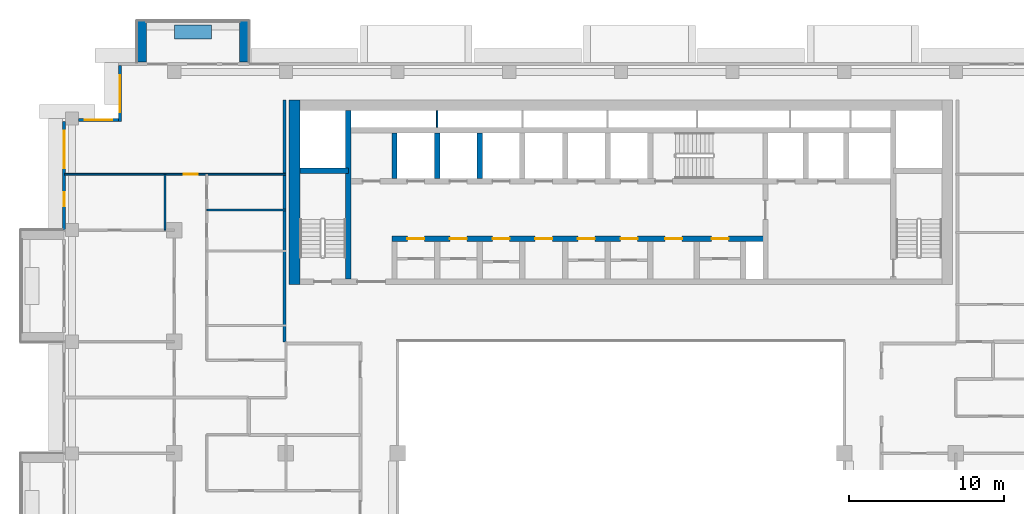
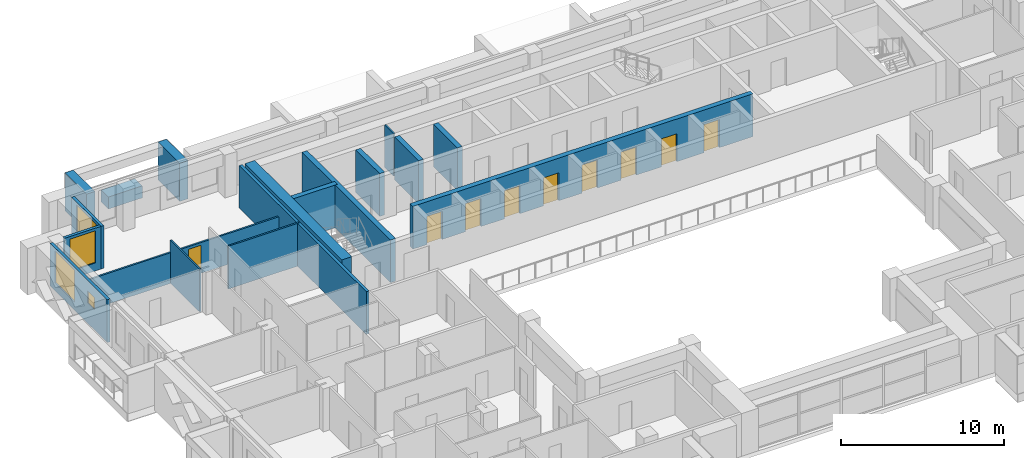
# One storey, part 10 of 20: 18 walls, 9 doors, 4 windows, 13 openings.
"""IFC4 building model written with IfcOpenShell, lengths in metres."""

from ifc_helpers import new_model, si_unit, direction, frame, frame_2d, origin, place, context, subcontext, project, spatial, rectangle, extrude, material, layer, layer_set, type_object, element, fill, save


model = new_model("IFC4")

# Units and contexts
model_context = context("Model", 3, precision=1e-05, world=origin(), true_north=direction((0.0, 1.0)))
body_context = subcontext(model_context, "Body", "Model", "MODEL_VIEW")
ifc_project = project(units=[si_unit("LENGTHUNIT", "METRE"), si_unit("AREAUNIT", "SQUARE_METRE"), si_unit("VOLUMEUNIT", "CUBIC_METRE"), si_unit("PLANEANGLEUNIT", "RADIAN"), si_unit("MASSUNIT", "GRAM", prefix="KILO")], contexts=[model_context])

# Site, building, storey
site_placement = place(None, origin())
site = spatial("IfcSite", under=ifc_project, at=site_placement, CompositionType="ELEMENT")
building_placement = place(site_placement, origin())
building = spatial("IfcBuilding", under=site, at=building_placement, Name="Saffron Iwan Residences", CompositionType="ELEMENT")
storey_placement = place(building_placement, frame((0.0, 0.0, 153.5)))
storey = spatial("IfcBuildingStorey", under=building, at=storey_placement, Name="L40", CompositionType="ELEMENT", Elevation=153.5)

# Walls
ifc_material_1 = material(Name="Concrete C50/60 white painted", Category="concrete")
ifc_layer_1 = layer(ifc_material_1, 0.60009765625)
ifc_layer_set_1 = layer_set([ifc_layer_1], Name="Concrete C50/60 white painted")
wall_type_1 = type_object("IfcWallType", Name="BALCONY FIN 600", PredefinedType="SOLIDWALL", material=ifc_layer_set_1)
for number, where, z_axis, x_axis, name in (
    (1, (26.10009765625, 80.449951171875, 0.0), (0.0, 0.0, 1.0), (0.0, 1.0, 0.0), "Balcony fin L40 F5-3a"),
    (2, (19.5, 80.449951171875, 0.0), (0.0, 0.0, 1.0), (0.0, 1.0, 0.0), "Balcony fin L40 F5-3b"),
):
    element("IfcWall", number, at=place(storey_placement, frame(where, z_axis=z_axis, x_axis=x_axis)), inside=storey, type_object=wall_type_1, Name=name, PredefinedType="SOLIDWALL", context=body_context, shape_type="SweptSolid", body=[
        extrude(rectangle(XDim=2.650146484375, YDim=0.60009765625, at=frame_2d((1.3251953125, 0.0))), origin(), (0.0, 0.0, 1.0), 2.85009765625),
    ])
ifc_material_2 = material(Name="Concrete C35/45 white painted", Category="concrete")
ifc_layer_2 = layer(ifc_material_2, 0.14990234375)
ifc_layer_set_2 = layer_set([ifc_layer_2], Name="Concrete C35/45 white painted")
wall_type_2 = type_object("IfcWallType", Name="BALCONY PLANTER", PredefinedType="SOLIDWALL", material=ifc_layer_set_2)
wall_1_placement = place(storey_placement, frame((24.0, 82.375, 0.0), z_axis=(0.0, 0.0, 1.0), x_axis=(-1.0, 0.0, 0.0)))
element("IfcWall", 3, at=wall_1_placement, inside=storey, type_object=wall_type_2, Name="PLANTER L40 F5-3", PredefinedType="SOLIDWALL", context=body_context, shape_type="SweptSolid", body=[
    extrude(rectangle(XDim=2.39990234375, YDim=0.89990234375, at=frame_2d((1.199951171875, 0.0))), origin(), (0.0, 0.0, 1.0), 0.89990234375),
])

# Wall, opening, window
ifc_material_3 = material(Name="Concrete C40/50", Category="concrete")
ifc_layer_3 = layer(ifc_material_3, 0.199951171875)
ifc_layer_set_3 = layer_set([ifc_layer_3], Name="Concrete C40/50")
wall_type_3 = type_object("IfcWallType", Name="EXTERNAL WALL 200", PredefinedType="SOLIDWALL", material=ifc_layer_set_3)
wall_2_placement = place(storey_placement, frame((18.10009765625, 80.199951171875, 0.0), z_axis=(0.0, 0.0, 1.0), x_axis=(0.0, -1.0, 0.0)))
wall_2 = element("IfcWall", 4, at=wall_2_placement, inside=storey, type_object=wall_type_3, Name="External wall L40 F6.0", PredefinedType="SOLIDWALL", context=body_context, shape_type="SweptSolid", body=[
    extrude(rectangle(XDim=3.599853515625, YDim=0.199951171875, at=frame_2d((1.7998046875, 0.0))), origin(), (0.0, 0.0, 1.0), 3.199951171875),
])
opening_1_placement = place(wall_2_placement, frame((0.60009765625, 0.0, 0.60009765625)))
opening_1 = element("IfcOpeningElement", 5, at=opening_1_placement, cuts=wall_2, Name="Opening W1", PredefinedType="OPENING", context=body_context, shape_type="SweptSolid", body=[
    extrude(rectangle(XDim=2.39990234375, YDim=2.39990234375, at=frame_2d((1.199951171875, 1.199951171875))), frame((0.0, 0.10986328125, 0.0), z_axis=(0.0, -1.0, 0.0), x_axis=(1.0, 0.0, 0.0)), (0.0, 0.0, 1.0), 0.219970703125),
])
ifc_material_4 = material(Name="Clear glass, laminated double glazed", Category="glass")
window_type_1 = type_object("IfcWindowType", Name="WINDOW 2400 x 2400", PartitioningType="DOUBLE_PANEL_VERTICAL", PredefinedType="WINDOW", material=ifc_material_4)
window_1_placement = place(opening_1_placement, origin())
window_1 = element("IfcWindow", 6, at=window_1_placement, inside=storey, type_object=window_type_1, Name="Window L40 F6.0", OverallHeight=2.39990234375, OverallWidth=2.39990234375, PartitioningType="DOUBLE_PANEL_VERTICAL", PredefinedType="WINDOW", context=body_context, shape_type="SweptSolid", body=[
    extrude(rectangle(XDim=2.39990234375, YDim=2.39990234375, at=frame_2d((1.199951171875, 1.199951171875))), frame((0.0, 0.030029296875, 0.0), z_axis=(0.0, -1.0, 0.0), x_axis=(1.0, 0.0, 0.0)), (0.0, 0.0, 1.0), 0.06005859375),
])
fill(opening_1, window_1)

wall_3_placement = place(storey_placement, frame((18.0, 76.699951171875, 0.0), z_axis=(0.0, 0.0, 1.0), x_axis=(-1.0, 0.0, 0.0)))
wall_3 = element("IfcWall", 7, at=wall_3_placement, inside=storey, type_object=wall_type_3, Name="External wall L40 F7.0", PredefinedType="SOLIDWALL", context=body_context, shape_type="SweptSolid", body=[
    extrude(rectangle(XDim=2.574951171875, YDim=0.199951171875, at=frame_2d((1.28759765625, 0.0))), origin(), (0.0, 0.0, 1.0), 3.199951171875),
])
opening_2_placement = place(wall_3_placement, frame((0.387451171875, 0.0, 0.60009765625)))
opening_2 = element("IfcOpeningElement", 8, at=opening_2_placement, cuts=wall_3, Name="Opening W8", PredefinedType="OPENING", context=body_context, shape_type="SweptSolid", body=[
    extrude(rectangle(XDim=1.800048828125, YDim=2.39990234375, at=frame_2d((0.89990234375, 1.199951171875))), frame((0.0, 0.10986328125, 0.0), z_axis=(0.0, -1.0, 0.0), x_axis=(1.0, 0.0, 0.0)), (0.0, 0.0, 1.0), 0.219970703125),
])
window_type_2 = type_object("IfcWindowType", Name="WINDOW 1800 x 2400", PartitioningType="DOUBLE_PANEL_VERTICAL", PredefinedType="WINDOW", material=ifc_material_4)
window_2_placement = place(opening_2_placement, origin())
window_2 = element("IfcWindow", 9, at=window_2_placement, inside=storey, type_object=window_type_2, Name="Window L40 F7.0", OverallHeight=2.39990234375, OverallWidth=1.800048828125, PartitioningType="DOUBLE_PANEL_VERTICAL", PredefinedType="WINDOW", context=body_context, shape_type="SweptSolid", body=[
    extrude(rectangle(XDim=1.800048828125, YDim=2.39990234375, at=frame_2d((0.89990234375, 1.199951171875))), frame((0.0, 0.030029296875, 0.0), z_axis=(0.0, -1.0, 0.0), x_axis=(1.0, 0.0, 0.0)), (0.0, 0.0, 1.0), 0.06005859375),
])
fill(opening_2, window_2)

# Wall, openings, windows
wall_4_placement = place(storey_placement, frame((14.5, 76.60009765625, 0.0), z_axis=(0.0, 0.0, 1.0), x_axis=(0.0, -1.0, 0.0)))
wall_4 = element("IfcWall", 10, at=wall_4_placement, inside=storey, type_object=wall_type_3, Name="External wall L40 F8.0", PredefinedType="SOLIDWALL", context=body_context, shape_type="SweptSolid", body=[
    extrude(rectangle(XDim=7.0, YDim=0.199951171875, at=frame_2d((3.5, 0.0))), origin(), (0.0, 0.0, 1.0), 3.199951171875),
])
opening_3_placement = place(wall_4_placement, frame((4.5625, 0.0, 1.5)))
opening_3 = element("IfcOpeningElement", 11, at=opening_3_placement, cuts=wall_4, Name="Opening W6", PredefinedType="OPENING", context=body_context, shape_type="SweptSolid", body=[
    extrude(rectangle(XDim=0.89990234375, YDim=0.89990234375, at=frame_2d((0.449951171875, 0.449951171875))), frame((0.0, 0.10986328125, 0.0), z_axis=(0.0, -1.0, 0.0), x_axis=(1.0, 0.0, 0.0)), (0.0, 0.0, 1.0), 0.219970703125),
])
opening_4_placement = place(wall_4_placement, frame((0.60009765625, 0.0, 0.60009765625)))
opening_4 = element("IfcOpeningElement", 12, at=opening_4_placement, cuts=wall_4, Name="Opening W1", PredefinedType="OPENING", context=body_context, shape_type="SweptSolid", body=[
    extrude(rectangle(XDim=2.39990234375, YDim=2.39990234375, at=frame_2d((1.199951171875, 1.199951171875))), frame((0.0, 0.10986328125, 0.0), z_axis=(0.0, -1.0, 0.0), x_axis=(1.0, 0.0, 0.0)), (0.0, 0.0, 1.0), 0.219970703125),
])
window_3_placement = place(opening_4_placement, origin())
window_3 = element("IfcWindow", 13, at=window_3_placement, inside=storey, type_object=window_type_1, Name="Window L40 F8.1", OverallHeight=2.39990234375, OverallWidth=2.39990234375, PartitioningType="DOUBLE_PANEL_VERTICAL", PredefinedType="WINDOW", context=body_context, shape_type="SweptSolid", body=[
    extrude(rectangle(XDim=2.39990234375, YDim=2.39990234375, at=frame_2d((1.199951171875, 1.199951171875))), frame((0.0, 0.030029296875, 0.0), z_axis=(0.0, -1.0, 0.0), x_axis=(1.0, 0.0, 0.0)), (0.0, 0.0, 1.0), 0.06005859375),
])
fill(opening_4, window_3)
window_type_3 = type_object("IfcWindowType", Name="WINDOW 900 x 900 BATH", PartitioningType="SINGLE_PANEL", PredefinedType="WINDOW", material=ifc_material_4)
window_4_placement = place(opening_3_placement, origin())
window_4 = element("IfcWindow", 14, at=window_4_placement, inside=storey, type_object=window_type_3, Name="Window L40 F8.0", OverallHeight=0.89990234375, OverallWidth=0.89990234375, PartitioningType="SINGLE_PANEL", PredefinedType="WINDOW", context=body_context, shape_type="SweptSolid", body=[
    extrude(rectangle(XDim=0.89990234375, YDim=0.89990234375, at=frame_2d((0.449951171875, 0.449951171875))), frame((0.0, 0.030029296875, 0.0), z_axis=(0.0, -1.0, 0.0), x_axis=(1.0, 0.0, 0.0)), (0.0, 0.0, 1.0), 0.06005859375),
])
fill(opening_3, window_4)

# Wall
ifc_material_5 = material(Name="Gypsum board partition")
ifc_layer_4 = layer(ifc_material_5, 0.1201171875)
ifc_layer_set_4 = layer_set([ifc_layer_4], Name="Gypsum board partition")
wall_type_4 = type_object("IfcWallType", Name="Flat partition 120", PredefinedType="PARTITIONING", material=ifc_layer_set_4)
wall_5_placement = place(storey_placement, frame((23.699951171875, 70.89990234375, 0.0), z_axis=(0.0, 0.0, 1.0), x_axis=(1.0, 0.0, 0.0)))
element("IfcWall", 15, at=wall_5_placement, inside=storey, type_object=wall_type_4, Name="W-L40-PART-h70.9-23.7", PredefinedType="PARTITIONING", context=body_context, shape_type="SweptSolid", body=[
    extrude(rectangle(XDim=5.10009765625, YDim=0.1201171875, at=frame_2d((2.550048828125, 0.0))), origin(), (0.0, 0.0, 1.0), 3.199951171875),
])

# Wall, opening, door
wall_6_placement = place(storey_placement, frame((14.52490234375, 73.199951171875, 0.0), z_axis=(0.0, 0.0, 1.0), x_axis=(1.0, 0.0, 0.0)))
wall_6 = element("IfcWall", 16, at=wall_6_placement, inside=storey, type_object=wall_type_4, Name="W-L40-PART-h73.2-14.525", PredefinedType="PARTITIONING", context=body_context, shape_type="SweptSolid", body=[
    extrude(rectangle(XDim=14.275146484375, YDim=0.1201171875, at=frame_2d((7.1376953125, 0.0))), origin(), (0.0, 0.0, 1.0), 2.300048828125),
])
opening_5_placement = place(wall_6_placement, frame((7.675048828125, 0.0, 0.0)))
opening_5 = element("IfcOpeningElement", 17, at=opening_5_placement, cuts=wall_6, Name="Opening FD2", PredefinedType="OPENING", context=body_context, shape_type="SweptSolid", body=[
    extrude(rectangle(XDim=0.89990234375, YDim=2.10009765625, at=frame_2d((0.449951171875, 1.050048828125))), frame((0.0, 0.070068359375, 0.0), z_axis=(0.0, -1.0, 0.0), x_axis=(1.0, 0.0, 0.0)), (0.0, 0.0, 1.0), 0.14013671875),
])
ifc_material_6 = material(Name="Timber door", Category="wood")
door_type_1 = type_object("IfcDoorType", Name="Flat door 900", OperationType="NOTDEFINED", PredefinedType="DOOR", material=ifc_material_6)
door_1_placement = place(opening_5_placement, origin())
door_1 = element("IfcDoor", 18, at=door_1_placement, inside=storey, type_object=door_type_1, Name="Door L40-026", OperationType="SINGLE_SWING_LEFT", OverallHeight=2.10009765625, OverallWidth=0.89990234375, PredefinedType="DOOR", context=body_context, shape_type="SweptSolid", body=[
    extrude(rectangle(XDim=0.89990234375, YDim=2.10009765625, at=frame_2d((0.449951171875, 1.050048828125))), frame((0.0, 0.02490234375, 0.0), z_axis=(0.0, -1.0, 0.0), x_axis=(1.0, 0.0, 0.0)), (0.0, 0.0, 1.0), 0.050048828125),
])
fill(opening_5, door_1)

# Walls
wall_7_placement = place(storey_placement, frame((21.0, 69.60009765625, 0.0), z_axis=(0.0, 0.0, 1.0), x_axis=(0.0, 1.0, 0.0)))
element("IfcWall", 19, at=wall_7_placement, inside=storey, type_object=wall_type_4, Name="W-L40-PART-v21-69.6", PredefinedType="PARTITIONING", context=body_context, shape_type="SweptSolid", body=[
    extrude(rectangle(XDim=3.599853515625, YDim=0.1201171875, at=frame_2d((1.7998046875, 0.0))), origin(), (0.0, 0.0, 1.0), 3.199951171875),
])
ifc_material_7 = material(Name="Fire-rated gypsum board wall")
ifc_layer_5 = layer(ifc_material_7, 0.199951171875)
ifc_layer_set_5 = layer_set([ifc_layer_5], Name="Fire-rated gypsum board wall")
wall_type_5 = type_object("IfcWallType", Name="Gallery wall 200", PredefinedType="SOLIDWALL", material=ifc_layer_set_5)
wall_8_placement = place(storey_placement, frame((28.699951171875, 62.39990234375, 0.0), z_axis=(0.0, 0.0, 1.0), x_axis=(0.0, 1.0, 0.0)))
element("IfcWall", 20, at=wall_8_placement, inside=storey, type_object=wall_type_5, Name="W-L40-CORR-v28.8-62.4", PredefinedType="SOLIDWALL", context=body_context, shape_type="SweptSolid", body=[
    extrude(rectangle(XDim=15.60009765625, YDim=0.199951171875, at=frame_2d((7.800048828125, 0.0))), origin(), (0.0, 0.0, 1.0), 3.199951171875),
])
ifc_material_8 = material(Name="Fire-rated plasterboard partition")
ifc_layer_6 = layer(ifc_material_8, 0.10009765625)
ifc_layer_set_6 = layer_set([ifc_layer_6], Name="Fire-rated plasterboard partition")
wall_type_6 = type_object("IfcWallType", Name="Riser partition 100", PredefinedType="PARTITIONING", material=ifc_layer_set_6)
wall_9_placement = place(storey_placement, frame((38.550048828125, 76.22509765625, 0.0), z_axis=(0.0, 0.0, 1.0), x_axis=(0.0, 1.0, 0.0)))
element("IfcWall", 21, at=wall_9_placement, inside=storey, type_object=wall_type_6, Name="Core partition P07", PredefinedType="PARTITIONING", context=body_context, shape_type="SweptSolid", body=[
    extrude(rectangle(XDim=1.074951171875, YDim=0.10009765625, at=frame_2d((0.53759765625, 0.0))), origin(), (0.0, 0.0, 1.0), 3.199951171875),
])

# Wall, openings, doors
ifc_material_9 = material(Name="Concrete C50/60", Category="concrete")
ifc_layer_7 = layer(ifc_material_9, 0.35009765625)
ifc_layer_set_7 = layer_set([ifc_layer_7], Name="Concrete C50/60")
wall_type_7 = type_object("IfcWallType", Name="WALL CORE 350 C50/60 3200 HIGH", PredefinedType="SHEAR", material=ifc_layer_set_7)
wall_10_placement = place(storey_placement, frame((35.625, 69.050048828125, 0.0), z_axis=(0.0, 0.0, 1.0), x_axis=(1.0, 0.0, 0.0)))
wall_10 = element("IfcWall", 22, at=wall_10_placement, inside=storey, type_object=wall_type_7, Name="Core wall", PredefinedType="SHEAR", context=body_context, shape_type="SweptSolid", body=[
    extrude(rectangle(XDim=24.10009765625, YDim=0.35009765625, at=frame_2d((12.050048828125, 0.0))), origin(), (0.0, 0.0, 1.0), 3.199951171875),
])
opening_6_placement = place(wall_10_placement, frame((1.0, 0.0, 0.0)))
opening_6 = element("IfcOpeningElement", 23, at=opening_6_placement, cuts=wall_10, Name="Opening SR", PredefinedType="OPENING", context=body_context, shape_type="SweptSolid", body=[
    extrude(rectangle(XDim=1.10009765625, YDim=2.10009765625, at=frame_2d((0.550048828125, 1.050048828125))), frame((0.0, 0.18505859375, 0.0), z_axis=(0.0, -1.0, 0.0), x_axis=(1.0, 0.0, 0.0)), (0.0, 0.0, 1.0), 0.3701171875),
])
opening_7_placement = place(wall_10_placement, frame((3.75, 0.0, 0.0)))
opening_7 = element("IfcOpeningElement", 24, at=opening_7_placement, cuts=wall_10, Name="Opening SR", PredefinedType="OPENING", context=body_context, shape_type="SweptSolid", body=[
    extrude(rectangle(XDim=1.10009765625, YDim=2.10009765625, at=frame_2d((0.550048828125, 1.050048828125))), frame((0.0, 0.18505859375, 0.0), z_axis=(0.0, -1.0, 0.0), x_axis=(1.0, 0.0, 0.0)), (0.0, 0.0, 1.0), 0.3701171875),
])
opening_8_placement = place(wall_10_placement, frame((6.5, 0.0, 0.0)))
opening_8 = element("IfcOpeningElement", 25, at=opening_8_placement, cuts=wall_10, Name="Opening SR", PredefinedType="OPENING", context=body_context, shape_type="SweptSolid", body=[
    extrude(rectangle(XDim=1.10009765625, YDim=2.10009765625, at=frame_2d((0.550048828125, 1.050048828125))), frame((0.0, 0.18505859375, 0.0), z_axis=(0.0, -1.0, 0.0), x_axis=(1.0, 0.0, 0.0)), (0.0, 0.0, 1.0), 0.3701171875),
])
opening_9_placement = place(wall_10_placement, frame((9.25, 0.0, 0.0)))
opening_9 = element("IfcOpeningElement", 26, at=opening_9_placement, cuts=wall_10, Name="Opening SR", PredefinedType="OPENING", context=body_context, shape_type="SweptSolid", body=[
    extrude(rectangle(XDim=1.10009765625, YDim=2.10009765625, at=frame_2d((0.550048828125, 1.050048828125))), frame((0.0, 0.18505859375, 0.0), z_axis=(0.0, -1.0, 0.0), x_axis=(1.0, 0.0, 0.0)), (0.0, 0.0, 1.0), 0.3701171875),
])
opening_10_placement = place(wall_10_placement, frame((12.0, 0.0, 0.0)))
opening_10 = element("IfcOpeningElement", 27, at=opening_10_placement, cuts=wall_10, Name="Opening SR", PredefinedType="OPENING", context=body_context, shape_type="SweptSolid", body=[
    extrude(rectangle(XDim=1.10009765625, YDim=2.10009765625, at=frame_2d((0.550048828125, 1.050048828125))), frame((0.0, 0.18505859375, 0.0), z_axis=(0.0, -1.0, 0.0), x_axis=(1.0, 0.0, 0.0)), (0.0, 0.0, 1.0), 0.3701171875),
])
opening_11_placement = place(wall_10_placement, frame((14.75, 0.0, 0.0)))
opening_11 = element("IfcOpeningElement", 28, at=opening_11_placement, cuts=wall_10, Name="Opening SR", PredefinedType="OPENING", context=body_context, shape_type="SweptSolid", body=[
    extrude(rectangle(XDim=1.10009765625, YDim=2.10009765625, at=frame_2d((0.550048828125, 1.050048828125))), frame((0.0, 0.18505859375, 0.0), z_axis=(0.0, -1.0, 0.0), x_axis=(1.0, 0.0, 0.0)), (0.0, 0.0, 1.0), 0.3701171875),
])
opening_12_placement = place(wall_10_placement, frame((17.625, 0.0, 0.0)))
opening_12 = element("IfcOpeningElement", 29, at=opening_12_placement, cuts=wall_10, Name="Opening SR", PredefinedType="OPENING", context=body_context, shape_type="SweptSolid", body=[
    extrude(rectangle(XDim=1.10009765625, YDim=2.10009765625, at=frame_2d((0.550048828125, 1.050048828125))), frame((0.0, 0.18505859375, 0.0), z_axis=(0.0, -1.0, 0.0), x_axis=(1.0, 0.0, 0.0)), (0.0, 0.0, 1.0), 0.3701171875),
])
opening_13_placement = place(wall_10_placement, frame((20.625, 0.0, 0.0)))
opening_13 = element("IfcOpeningElement", 30, at=opening_13_placement, cuts=wall_10, Name="Opening SR", PredefinedType="OPENING", context=body_context, shape_type="SweptSolid", body=[
    extrude(rectangle(XDim=1.10009765625, YDim=2.10009765625, at=frame_2d((0.550048828125, 1.050048828125))), frame((0.0, 0.18505859375, 0.0), z_axis=(0.0, -1.0, 0.0), x_axis=(1.0, 0.0, 0.0)), (0.0, 0.0, 1.0), 0.3701171875),
])
ifc_material_10 = material(Name="Steel fire door", Category="steel")
door_type_2 = type_object("IfcDoorType", Name="Service door 1100", OperationType="NOTDEFINED", PredefinedType="DOOR", material=ifc_material_10)
door_2_placement = place(opening_6_placement, origin())
door_2 = element("IfcDoor", 31, at=door_2_placement, inside=storey, type_object=door_type_2, Name="Door Maintenance store", OperationType="SINGLE_SWING_RIGHT", OverallHeight=2.10009765625, OverallWidth=1.10009765625, PredefinedType="DOOR", context=body_context, shape_type="SweptSolid", body=[
    extrude(rectangle(XDim=1.10009765625, YDim=2.10009765625, at=frame_2d((0.550048828125, 1.050048828125))), frame((0.0, 0.02490234375, 0.0), z_axis=(0.0, -1.0, 0.0), x_axis=(1.0, 0.0, 0.0)), (0.0, 0.0, 1.0), 0.050048828125),
])
fill(opening_6, door_2)
door_3_placement = place(opening_7_placement, origin())
door_3 = element("IfcDoor", 32, at=door_3_placement, inside=storey, type_object=door_type_2, Name="Door Linen store", OperationType="SINGLE_SWING_LEFT", OverallHeight=2.10009765625, OverallWidth=1.10009765625, PredefinedType="DOOR", context=body_context, shape_type="SweptSolid", body=[
    extrude(rectangle(XDim=1.10009765625, YDim=2.10009765625, at=frame_2d((0.550048828125, 1.050048828125))), frame((0.0, 0.02490234375, 0.0), z_axis=(0.0, -1.0, 0.0), x_axis=(1.0, 0.0, 0.0)), (0.0, 0.0, 1.0), 0.050048828125),
])
fill(opening_7, door_3)
door_4_placement = place(opening_8_placement, origin())
door_4 = element("IfcDoor", 33, at=door_4_placement, inside=storey, type_object=door_type_2, Name="Door Pantry", OperationType="SINGLE_SWING_RIGHT", OverallHeight=2.10009765625, OverallWidth=1.10009765625, PredefinedType="DOOR", context=body_context, shape_type="SweptSolid", body=[
    extrude(rectangle(XDim=1.10009765625, YDim=2.10009765625, at=frame_2d((0.550048828125, 1.050048828125))), frame((0.0, 0.02490234375, 0.0), z_axis=(0.0, -1.0, 0.0), x_axis=(1.0, 0.0, 0.0)), (0.0, 0.0, 1.0), 0.050048828125),
])
fill(opening_8, door_4)
door_5_placement = place(opening_9_placement, origin())
door_5 = element("IfcDoor", 34, at=door_5_placement, inside=storey, type_object=door_type_2, Name="Door Electrical room", OperationType="SINGLE_SWING_LEFT", OverallHeight=2.10009765625, OverallWidth=1.10009765625, PredefinedType="DOOR", context=body_context, shape_type="SweptSolid", body=[
    extrude(rectangle(XDim=1.10009765625, YDim=2.10009765625, at=frame_2d((0.550048828125, 1.050048828125))), frame((0.0, 0.02490234375, 0.0), z_axis=(0.0, -1.0, 0.0), x_axis=(1.0, 0.0, 0.0)), (0.0, 0.0, 1.0), 0.050048828125),
])
fill(opening_9, door_5)
door_6_placement = place(opening_10_placement, origin())
door_6 = element("IfcDoor", 35, at=door_6_placement, inside=storey, type_object=door_type_2, Name="Door Luggage store", OperationType="SINGLE_SWING_RIGHT", OverallHeight=2.10009765625, OverallWidth=1.10009765625, PredefinedType="DOOR", context=body_context, shape_type="SweptSolid", body=[
    extrude(rectangle(XDim=1.10009765625, YDim=2.10009765625, at=frame_2d((0.550048828125, 1.050048828125))), frame((0.0, 0.02490234375, 0.0), z_axis=(0.0, -1.0, 0.0), x_axis=(1.0, 0.0, 0.0)), (0.0, 0.0, 1.0), 0.050048828125),
])
fill(opening_10, door_6)
door_7_placement = place(opening_11_placement, origin())
door_7 = element("IfcDoor", 36, at=door_7_placement, inside=storey, type_object=door_type_2, Name="Door Refuse store", OperationType="SINGLE_SWING_LEFT", OverallHeight=2.10009765625, OverallWidth=1.10009765625, PredefinedType="DOOR", context=body_context, shape_type="SweptSolid", body=[
    extrude(rectangle(XDim=1.10009765625, YDim=2.10009765625, at=frame_2d((0.550048828125, 1.050048828125))), frame((0.0, 0.02490234375, 0.0), z_axis=(0.0, -1.0, 0.0), x_axis=(1.0, 0.0, 0.0)), (0.0, 0.0, 1.0), 0.050048828125),
])
fill(opening_11, door_7)
door_8_placement = place(opening_12_placement, origin())
door_8 = element("IfcDoor", 37, at=door_8_placement, inside=storey, type_object=door_type_2, Name="Door Housekeeping store", OperationType="SINGLE_SWING_RIGHT", OverallHeight=2.10009765625, OverallWidth=1.10009765625, PredefinedType="DOOR", context=body_context, shape_type="SweptSolid", body=[
    extrude(rectangle(XDim=1.10009765625, YDim=2.10009765625, at=frame_2d((0.550048828125, 1.050048828125))), frame((0.0, 0.02490234375, 0.0), z_axis=(0.0, -1.0, 0.0), x_axis=(1.0, 0.0, 0.0)), (0.0, 0.0, 1.0), 0.050048828125),
])
fill(opening_12, door_8)
door_9_placement = place(opening_13_placement, origin())
door_9 = element("IfcDoor", 38, at=door_9_placement, inside=storey, type_object=door_type_2, Name="Door Cleaner's store", OperationType="SINGLE_SWING_RIGHT", OverallHeight=2.10009765625, OverallWidth=1.10009765625, PredefinedType="DOOR", context=body_context, shape_type="SweptSolid", body=[
    extrude(rectangle(XDim=1.10009765625, YDim=2.10009765625, at=frame_2d((0.550048828125, 1.050048828125))), frame((0.0, 0.02490234375, 0.0), z_axis=(0.0, -1.0, 0.0), x_axis=(1.0, 0.0, 0.0)), (0.0, 0.0, 1.0), 0.050048828125),
])
fill(opening_13, door_9)

# Walls
wall_11_placement = place(storey_placement, frame((29.699951171875, 73.425048828125, 0.0), z_axis=(0.0, 0.0, 1.0), x_axis=(1.0, 0.0, 0.0)))
element("IfcWall", 39, at=wall_11_placement, inside=storey, type_object=wall_type_7, Name="Core wall", PredefinedType="SHEAR", context=body_context, shape_type="SweptSolid", body=[
    extrude(rectangle(XDim=3.125, YDim=0.35009765625, at=frame_2d((1.5625, 0.0))), origin(), (0.0, 0.0, 1.0), 3.199951171875),
])
wall_12_placement = place(storey_placement, frame((32.824951171875, 66.449951171875, 0.0), z_axis=(0.0, 0.0, 1.0), x_axis=(0.0, 1.0, 0.0)))
element("IfcWall", 40, at=wall_12_placement, inside=storey, type_object=wall_type_7, Name="Core wall", PredefinedType="SHEAR", context=body_context, shape_type="SweptSolid", body=[
    extrude(rectangle(XDim=10.85009765625, YDim=0.35009765625, at=frame_2d((5.425048828125, 0.0))), origin(), (0.0, 0.0, 1.0), 3.199951171875),
])
for number, where, z_axis, x_axis, name in (
    (41, (35.800048828125, 72.925048828125, 0.0), (0.0, 0.0, 1.0), (0.0, 1.0, 0.0), "Core wall"),
    (42, (38.550048828125, 72.925048828125, 0.0), (0.0, 0.0, 1.0), (0.0, 1.0, 0.0), "Core wall"),
    (43, (41.300048828125, 72.925048828125, 0.0), (0.0, 0.0, 1.0), (0.0, 1.0, 0.0), "Core wall"),
):
    element("IfcWall", number, at=place(storey_placement, frame(where, z_axis=z_axis, x_axis=x_axis)), inside=storey, type_object=wall_type_7, Name=name, PredefinedType="SHEAR", context=body_context, shape_type="SweptSolid", body=[
        extrude(rectangle(XDim=2.949951171875, YDim=0.35009765625, at=frame_2d((1.47509765625, 0.0))), origin(), (0.0, 0.0, 1.0), 3.199951171875),
    ])
ifc_layer_8 = layer(ifc_material_9, 0.699951171875)
ifc_layer_set_8 = layer_set([ifc_layer_8], Name="Concrete C50/60")
wall_type_8 = type_object("IfcWallType", Name="WALL CORE 700 C50/60 3200 HIGH", PredefinedType="SHEAR", material=ifc_layer_set_8)
wall_13_placement = place(storey_placement, frame((29.35009765625, 66.10009765625, 0.0), z_axis=(0.0, 0.0, 1.0), x_axis=(0.0, 1.0, 0.0)))
element("IfcWall", 44, at=wall_13_placement, inside=storey, type_object=wall_type_8, Name="Core wall", PredefinedType="SHEAR", context=body_context, shape_type="SweptSolid", body=[
    extrude(rectangle(XDim=11.89990234375, YDim=0.699951171875, at=frame_2d((5.949951171875, 0.0))), origin(), (0.0, 0.0, 1.0), 3.199951171875),
])

save(model, "model.ifc")
